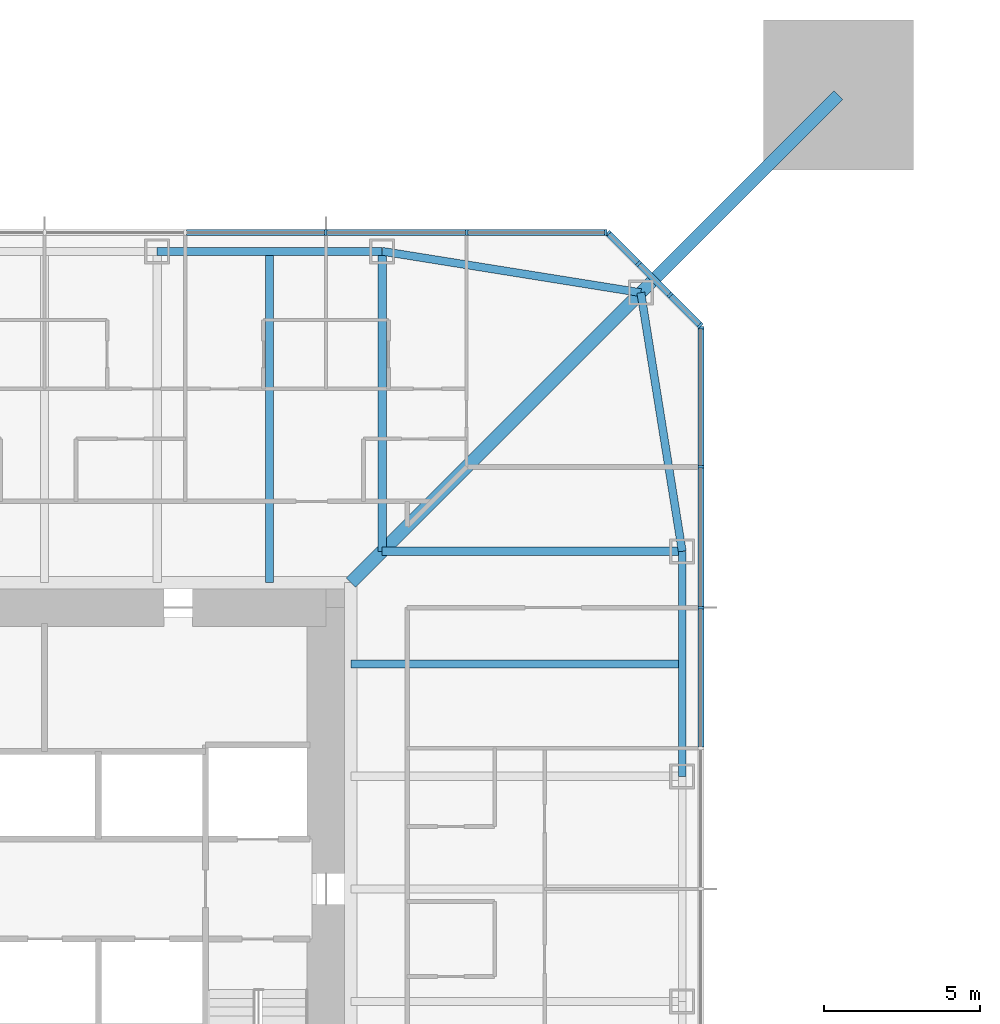
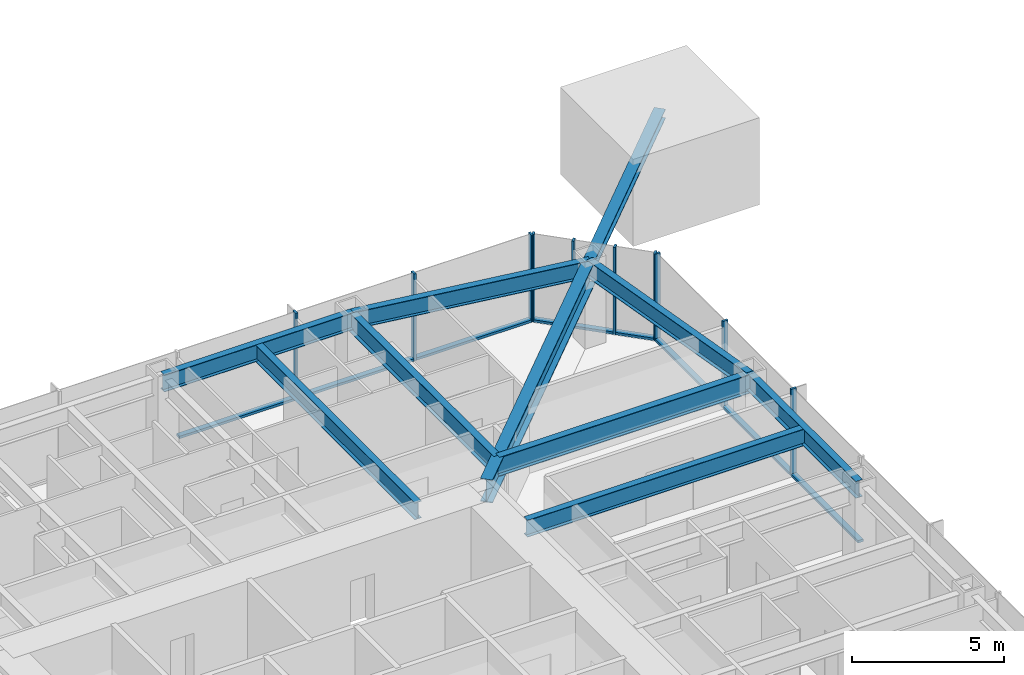
# One storey, part 7 of 25: 20 members, 9 beams, 3 elements without a shape of their own.
"""IFC4 building model written with IfcOpenShell, lengths in metres."""

from ifc_helpers import new_model, si_unit, direction, frame, origin, origin_2d, place, context, subcontext, project, spatial, rectangle, i_section, extrude, material, material_profile, profile_set, type_object, element, aggregate, save


model = new_model("IFC4")

# Units and contexts
model_context = context("Model", 3, precision=1e-05, world=origin(), true_north=direction((0.0, 1.0)))
body_context = subcontext(model_context, "Body", "Model", "MODEL_VIEW")
ifc_project = project(units=[si_unit("LENGTHUNIT", "METRE"), si_unit("AREAUNIT", "SQUARE_METRE"), si_unit("VOLUMEUNIT", "CUBIC_METRE"), si_unit("PLANEANGLEUNIT", "RADIAN"), si_unit("MASSUNIT", "GRAM", prefix="KILO")], contexts=[model_context])

# Site, building, storey
site_placement = place(None, origin())
site = spatial("IfcSite", under=ifc_project, at=site_placement, CompositionType="ELEMENT")
building_placement = place(site_placement, origin())
building = spatial("IfcBuilding", under=site, at=building_placement, Name="Iwan Alto Co-Living Towers", CompositionType="ELEMENT")
storey_placement = place(building_placement, frame((0.0, 0.0, 119.0)))
storey = spatial("IfcBuildingStorey", under=building, at=storey_placement, Name="L32", CompositionType="ELEMENT", Elevation=119.0)

# Curtain wall, members
ifc_material_1 = material(Name="Bronze aluminium unitised frame", Category="aluminium")
curtain_wall_type_1 = type_object("IfcCurtainWallType", Name="CURTAIN WALL CW-A", PredefinedType="NOTDEFINED", material=ifc_material_1)
curtain_wall_1_placement = place(storey_placement, origin())
curtain_wall_1 = element("IfcCurtainWall", 1, at=curtain_wall_1_placement, inside=storey, type_object=curtain_wall_type_1, Name="T1 curtain wall E L32", PredefinedType="NOTDEFINED")
ifc_material_2 = material(Name="Aluminium 6063-T6 bronze anodised", Category="aluminium")
ifc_material_profile_1 = material_profile(ifc_material_2, rectangle(XDim=0.199951171875, YDim=0.080078125, at=origin_2d()), Name="AL 80X200")
ifc_profile_set_1 = profile_set([ifc_material_profile_1], Name="Aluminium 6063-T6 bronze anodised")
member_type_1 = type_object("IfcMemberType", Name="CW-A MULLION 80X200", PredefinedType="MULLION", material=ifc_profile_set_1)
member_1_placement = place(storey_placement, frame((21.0, 9.0, 0.0), z_axis=(0.0, 0.0, 1.0), x_axis=(-1.0, 0.0, 0.0)))
member_1 = element("IfcMember", 2, at=member_1_placement, type_object=member_type_1, Name="CW-A mullion 7", PredefinedType="MULLION", context=body_context, shape_type="SweptSolid", body=[
    extrude(rectangle(XDim=0.199951171875, YDim=0.080078125, at=origin_2d()), origin(), (0.0, 0.0, 1.0), 3.5),
])
member_2_placement = place(storey_placement, frame((21.0, 13.5, 0.0), z_axis=(0.0, 0.0, 1.0), x_axis=(-1.0, 0.0, 0.0)))
member_2 = element("IfcMember", 3, at=member_2_placement, type_object=member_type_1, Name="CW-A mullion 8", PredefinedType="MULLION", context=body_context, shape_type="SweptSolid", body=[
    extrude(rectangle(XDim=0.199951171875, YDim=0.080078125, at=origin_2d()), origin(), (0.0, 0.0, 1.0), 3.5),
])
member_3_placement = place(storey_placement, frame((21.0, 17.9599609375, 0.0), z_axis=(0.0, 0.0, 1.0), x_axis=(-1.0, 0.0, 0.0)))
member_3 = element("IfcMember", 4, at=member_3_placement, type_object=member_type_1, Name="CW-A mullion 9", PredefinedType="MULLION", context=body_context, shape_type="SweptSolid", body=[
    extrude(rectangle(XDim=0.199951171875, YDim=0.080078125, at=origin_2d()), origin(), (0.0, 0.0, 1.0), 3.5),
])

curtain_wall_2_placement = place(storey_placement, origin())
curtain_wall_2 = element("IfcCurtainWall", 5, at=curtain_wall_2_placement, inside=storey, type_object=curtain_wall_type_1, Name="T1 curtain wall N L32", PredefinedType="NOTDEFINED")
member_4_placement = place(storey_placement, frame((17.9599609375, 21.0, 0.0), z_axis=(0.0, 0.0, 1.0), x_axis=(0.0, -1.0, 0.0)))
member_4 = element("IfcMember", 6, at=member_4_placement, type_object=member_type_1, Name="CW-A mullion 1", PredefinedType="MULLION", context=body_context, shape_type="SweptSolid", body=[
    extrude(rectangle(XDim=0.199951171875, YDim=0.080078125, at=origin_2d()), origin(), (0.0, 0.0, 1.0), 3.5),
])
member_5_placement = place(storey_placement, frame((13.5, 21.0, 0.0), z_axis=(0.0, 0.0, 1.0), x_axis=(0.0, -1.0, 0.0)))
member_5 = element("IfcMember", 7, at=member_5_placement, type_object=member_type_1, Name="CW-A mullion 2", PredefinedType="MULLION", context=body_context, shape_type="SweptSolid", body=[
    extrude(rectangle(XDim=0.199951171875, YDim=0.080078125, at=origin_2d()), origin(), (0.0, 0.0, 1.0), 3.5),
])
member_6_placement = place(storey_placement, frame((9.0, 21.0, 0.0), z_axis=(0.0, 0.0, 1.0), x_axis=(0.0, -1.0, 0.0)))
member_6 = element("IfcMember", 8, at=member_6_placement, type_object=member_type_1, Name="CW-A mullion 3", PredefinedType="MULLION", context=body_context, shape_type="SweptSolid", body=[
    extrude(rectangle(XDim=0.199951171875, YDim=0.080078125, at=origin_2d()), origin(), (0.0, 0.0, 1.0), 3.5),
])

# Member
ifc_material_3 = material(Name="Aluminium 6063-T6 bronze anodised", Category="aluminium")
ifc_material_profile_2 = material_profile(ifc_material_3, rectangle(XDim=0.199951171875, YDim=0.10009765625, at=origin_2d()), Name="AL 200X100")
ifc_profile_set_2 = profile_set([ifc_material_profile_2], Name="Aluminium 6063-T6 bronze anodised")
member_type_2 = type_object("IfcMemberType", Name="CW-A TRANSOM 200X100", PredefinedType="USERDEFINED", material=ifc_profile_set_2)
member_7_placement = place(storey_placement, frame((21.0, 4.5400390625, 0.050048828125), z_axis=(0.0, 1.0, 0.0), x_axis=(-1.0, 0.0, 0.0)))
member_7 = element("IfcMember", 9, at=member_7_placement, type_object=member_type_2, Name="CW-A transom 6.1", ObjectType="TRANSOM", PredefinedType="USERDEFINED", context=body_context, shape_type="SweptSolid", body=[
    extrude(rectangle(XDim=0.199951171875, YDim=0.10009765625, at=origin_2d()), origin(), (0.0, 0.0, 1.0), 4.419921875),
])

member_8_placement = place(storey_placement, frame((21.0, 9.0400390625, 0.050048828125), z_axis=(0.0, 1.0, 0.0), x_axis=(-1.0, 0.0, 0.0)))
member_8 = element("IfcMember", 10, at=member_8_placement, type_object=member_type_2, Name="CW-A transom 7.1", ObjectType="TRANSOM", PredefinedType="USERDEFINED", context=body_context, shape_type="SweptSolid", body=[
    extrude(rectangle(XDim=0.199951171875, YDim=0.10009765625, at=origin_2d()), origin(), (0.0, 0.0, 1.0), 4.419921875),
])

member_9_placement = place(storey_placement, frame((21.0, 13.5400390625, 0.050048828125), z_axis=(0.0, 1.0, 0.0), x_axis=(-1.0, 0.0, 0.0)))
member_9 = element("IfcMember", 11, at=member_9_placement, type_object=member_type_2, Name="CW-A transom 8.1", ObjectType="TRANSOM", PredefinedType="USERDEFINED", context=body_context, shape_type="SweptSolid", body=[
    extrude(rectangle(XDim=0.199951171875, YDim=0.10009765625, at=origin_2d()), origin(), (0.0, 0.0, 1.0), 4.3798828125),
])

aggregate(curtain_wall_1, [member_1, member_2, member_3, member_7, member_8, member_9])

member_10_placement = place(storey_placement, frame((17.919921875, 21.0, 0.050048828125), z_axis=(-1.0, 0.0, 0.0), x_axis=(0.0, -1.0, 0.0)))
member_10 = element("IfcMember", 12, at=member_10_placement, type_object=member_type_2, Name="CW-A transom 1.1", ObjectType="TRANSOM", PredefinedType="USERDEFINED", context=body_context, shape_type="SweptSolid", body=[
    extrude(rectangle(XDim=0.199951171875, YDim=0.10009765625, at=origin_2d()), origin(), (0.0, 0.0, 1.0), 4.3798828125),
])

member_11_placement = place(storey_placement, frame((13.4599609375, 21.0, 0.050048828125), z_axis=(-1.0, 0.0, 0.0), x_axis=(0.0, -1.0, 0.0)))
member_11 = element("IfcMember", 13, at=member_11_placement, type_object=member_type_2, Name="CW-A transom 2.1", ObjectType="TRANSOM", PredefinedType="USERDEFINED", context=body_context, shape_type="SweptSolid", body=[
    extrude(rectangle(XDim=0.199951171875, YDim=0.10009765625, at=origin_2d()), origin(), (0.0, 0.0, 1.0), 4.419921875),
])

member_12_placement = place(storey_placement, frame((8.9599609375, 21.0, 0.050048828125), z_axis=(-1.0, 0.0, 0.0), x_axis=(0.0, -1.0, 0.0)))
member_12 = element("IfcMember", 14, at=member_12_placement, type_object=member_type_2, Name="CW-A transom 3.1", ObjectType="TRANSOM", PredefinedType="USERDEFINED", context=body_context, shape_type="SweptSolid", body=[
    extrude(rectangle(XDim=0.199951171875, YDim=0.10009765625, at=origin_2d()), origin(), (0.0, 0.0, 1.0), 4.419921875),
])

aggregate(curtain_wall_2, [member_4, member_5, member_6, member_10, member_11, member_12])

# Curtain wall, members
ifc_material_4 = material(Name="Bronze aluminium unitised frame", Category="aluminium")
curtain_wall_type_2 = type_object("IfcCurtainWallType", Name="CURTAIN WALL CW-B", PredefinedType="NOTDEFINED", material=ifc_material_4)
curtain_wall_3_placement = place(storey_placement, origin())
curtain_wall_3 = element("IfcCurtainWall", 15, at=curtain_wall_3_placement, inside=storey, type_object=curtain_wall_type_2, Name="T1 chamfer curtain wall NE L32", PredefinedType="NOTDEFINED")
ifc_material_5 = material(Name="Aluminium 6063-T6 bronze anodised", Category="aluminium")
ifc_material_profile_3 = material_profile(ifc_material_5, rectangle(XDim=0.199951171875, YDim=0.080078125, at=origin_2d()), Name="AL 80X200")
ifc_profile_set_3 = profile_set([ifc_material_profile_3], Name="Aluminium 6063-T6 bronze anodised")
member_type_3 = type_object("IfcMemberType", Name="CW-B MULLION 80X200", PredefinedType="MULLION", material=ifc_profile_set_3)
member_13_placement = place(storey_placement, frame((20.9716796875, 18.0283203125, 0.0), z_axis=(0.0, 0.0, 1.0), x_axis=(-0.707106781187, -0.707106781187, 0.0)))
member_13 = element("IfcMember", 16, at=member_13_placement, type_object=member_type_3, Name="CW-B mullion 1", PredefinedType="MULLION", context=body_context, shape_type="SweptSolid", body=[
    extrude(rectangle(XDim=0.199951171875, YDim=0.080078125, at=origin_2d()), origin(), (0.0, 0.0, 1.0), 3.5),
])
member_14_placement = place(storey_placement, frame((20.0, 19.0, 0.0), z_axis=(0.0, 0.0, 1.0), x_axis=(-0.707106781187, -0.707106781187, 0.0)))
member_14 = element("IfcMember", 17, at=member_14_placement, type_object=member_type_3, Name="CW-B mullion 2", PredefinedType="MULLION", context=body_context, shape_type="SweptSolid", body=[
    extrude(rectangle(XDim=0.199951171875, YDim=0.080078125, at=origin_2d()), origin(), (0.0, 0.0, 1.0), 3.5),
])
member_15_placement = place(storey_placement, frame((19.0, 20.0, 0.0), z_axis=(0.0, 0.0, 1.0), x_axis=(-0.707106781187, -0.707106781187, 0.0)))
member_15 = element("IfcMember", 18, at=member_15_placement, type_object=member_type_3, Name="CW-B mullion 3", PredefinedType="MULLION", context=body_context, shape_type="SweptSolid", body=[
    extrude(rectangle(XDim=0.199951171875, YDim=0.080078125, at=origin_2d()), origin(), (0.0, 0.0, 1.0), 3.5),
])
member_16_placement = place(storey_placement, frame((18.0283203125, 20.9716796875, 0.0), z_axis=(0.0, 0.0, 1.0), x_axis=(-0.707106781187, -0.707106781187, 0.0)))
member_16 = element("IfcMember", 19, at=member_16_placement, type_object=member_type_3, Name="CW-B mullion 4", PredefinedType="MULLION", context=body_context, shape_type="SweptSolid", body=[
    extrude(rectangle(XDim=0.199951171875, YDim=0.080078125, at=origin_2d()), origin(), (0.0, 0.0, 1.0), 3.5),
])
ifc_material_6 = material(Name="Aluminium 6063-T6 bronze anodised", Category="aluminium")
ifc_material_profile_4 = material_profile(ifc_material_6, rectangle(XDim=0.199951171875, YDim=0.10009765625, at=origin_2d()), Name="AL 200X100")
ifc_profile_set_4 = profile_set([ifc_material_profile_4], Name="Aluminium 6063-T6 bronze anodised")
member_type_4 = type_object("IfcMemberType", Name="CW-B TRANSOM 200X100", PredefinedType="USERDEFINED", material=ifc_profile_set_4)
member_17_placement = place(storey_placement, frame((20.943359375, 18.056640625, 0.050048828125), z_axis=(-0.707106781187, 0.707106781187, 0.0), x_axis=(-0.707106781187, -0.707106781187, 0.0)))
member_17 = element("IfcMember", 20, at=member_17_placement, type_object=member_type_4, Name="CW-B transom 1.1", ObjectType="TRANSOM", PredefinedType="USERDEFINED", context=body_context, shape_type="SweptSolid", body=[
    extrude(rectangle(XDim=0.199951171875, YDim=0.10009765625, at=origin_2d()), origin(), (0.0, 0.0, 1.0), 1.2939453125),
])
member_18_placement = place(storey_placement, frame((19.9716796875, 19.0283203125, 0.050048828125), z_axis=(-0.707106781187, 0.707106781187, 0.0), x_axis=(-0.707106781187, -0.707106781187, 0.0)))
member_18 = element("IfcMember", 21, at=member_18_placement, type_object=member_type_4, Name="CW-B transom 2.1", ObjectType="TRANSOM", PredefinedType="USERDEFINED", context=body_context, shape_type="SweptSolid", body=[
    extrude(rectangle(XDim=0.199951171875, YDim=0.10009765625, at=origin_2d()), origin(), (0.0, 0.0, 1.0), 1.334228515625),
])
member_19_placement = place(storey_placement, frame((18.9716796875, 20.0283203125, 0.050048828125), z_axis=(-0.707106781187, 0.707106781187, 0.0), x_axis=(-0.707106781187, -0.707106781187, 0.0)))
member_19 = element("IfcMember", 22, at=member_19_placement, type_object=member_type_4, Name="CW-B transom 3.1", ObjectType="TRANSOM", PredefinedType="USERDEFINED", context=body_context, shape_type="SweptSolid", body=[
    extrude(rectangle(XDim=0.199951171875, YDim=0.10009765625, at=origin_2d()), origin(), (0.0, 0.0, 1.0), 1.2939453125),
])
aggregate(curtain_wall_3, [member_13, member_14, member_15, member_16, member_17, member_18, member_19])

# Beams
ifc_material_7 = material(Name="Steel ASTM A992 Gr 50", Category="steel")
ifc_material_profile_5 = material_profile(ifc_material_7, i_section(OverallWidth=0.419189453125, OverallDepth=0.927001953125, WebThickness=0.019287109375, FlangeThickness=0.031982421875, at=origin_2d()), Name="W36X231")
ifc_profile_set_5 = profile_set([ifc_material_profile_5], Name="Steel ASTM A992 Gr 50")
beam_type_1 = type_object("IfcBeamType", Name="T1 CORNER GIRDER W36X231", PredefinedType="BEAM", material=ifc_profile_set_5)
beam_1_placement = place(storey_placement, frame((19.07568359375, 19.07568359375, 2.806396484375), z_axis=(-0.707106781187, -0.707106781187, 0.0), x_axis=(0.707106781187, -0.707106781187, 0.0)))
element("IfcBeam", 23, at=beam_1_placement, inside=storey, type_object=beam_type_1, Name="T1 corner girder CNE L33", PredefinedType="BEAM", context=body_context, shape_type="SweptSolid", body=[
    extrude(i_section(OverallWidth=0.419189453125, OverallDepth=0.927001953125, WebThickness=0.019287109375, FlangeThickness=0.031982421875, at=origin_2d()), origin(), (0.0, 0.0, 1.0), 13.11865234375),
])
ifc_material_8 = material(Name="Steel ASTM A992 Gr 50", Category="steel")
ifc_material_profile_6 = material_profile(ifc_material_8, i_section(OverallWidth=0.25390625, OverallDepth=0.683349609375, WebThickness=0.012451171875, FlangeThickness=0.018798828125, at=origin_2d()), Name="W27X94")
ifc_profile_set_6 = profile_set([ifc_material_profile_6], Name="Steel ASTM A992 Gr 50")
beam_type_2 = type_object("IfcBeamType", Name="T1 EDGE BEAM W27X94", PredefinedType="BEAM", material=ifc_profile_set_6)
beam_2_placement = place(storey_placement, frame((20.39990234375, 3.60009765625, 2.928466796875), z_axis=(0.0, 1.0, 0.0), x_axis=(-1.0, 0.0, 0.0)))
element("IfcBeam", 24, at=beam_2_placement, inside=storey, type_object=beam_type_2, Name="T1 edge beam E3 L33", PredefinedType="BEAM", context=body_context, shape_type="SweptSolid", body=[
    extrude(i_section(OverallWidth=0.25390625, OverallDepth=0.683349609375, WebThickness=0.012451171875, FlangeThickness=0.018798828125, at=origin_2d()), origin(), (0.0, 0.0, 1.0), 7.199951171875),
])
for number, where, z_axis, x_axis, name in (
    (25, (20.39990234375, 10.800048828125, 2.928466796875), (-0.158004134737, 0.987438450439, 0.0), (-0.987438450439, -0.158004134737, 0.0), "T1 edge beam E4 L33"),
    (26, (19.07568359375, 19.07568359375, 2.928466796875), (-0.987438450439, 0.158004134737, 0.0), (-0.158004134737, -0.987438450439, 0.0), "T1 edge beam CNE L33"),
):
    element("IfcBeam", number, at=place(storey_placement, frame(where, z_axis=z_axis, x_axis=x_axis)), inside=storey, type_object=beam_type_2, Name=name, PredefinedType="BEAM", context=body_context, shape_type="SweptSolid", body=[
        extrude(i_section(OverallWidth=0.25390625, OverallDepth=0.683349609375, WebThickness=0.012451171875, FlangeThickness=0.018798828125, at=origin_2d()), origin(), (0.0, 0.0, 1.0), 8.380859375),
    ])
beam_3_placement = place(storey_placement, frame((10.800048828125, 20.39990234375, 2.928466796875), z_axis=(-1.0, 0.0, 0.0), x_axis=(0.0, -1.0, 0.0)))
element("IfcBeam", 27, at=beam_3_placement, inside=storey, type_object=beam_type_2, Name="T1 edge beam N1 L33", PredefinedType="BEAM", context=body_context, shape_type="SweptSolid", body=[
    extrude(i_section(OverallWidth=0.25390625, OverallDepth=0.683349609375, WebThickness=0.012451171875, FlangeThickness=0.018798828125, at=origin_2d()), origin(), (0.0, 0.0, 1.0), 7.199951171875),
])

# Member
ifc_material_9 = material(Name="Steel ASTM A992 Gr 50", Category="steel")
ifc_material_profile_7 = material_profile(ifc_material_9, i_section(OverallWidth=0.393798828125, OverallDepth=0.3759765625, WebThickness=0.017333984375, FlangeThickness=0.027587890625, at=origin_2d()), Name="W14X145")
ifc_profile_set_7 = profile_set([ifc_material_profile_7], Name="Steel ASTM A992 Gr 50")
member_type_5 = type_object("IfcMemberType", Name="T1 MEGA COLUMN FLOOR TIE W14X145", PredefinedType="STRUT", material=ifc_profile_set_7)
member_20_placement = place(storey_placement, frame((25.39990234375, 25.39990234375, 3.08203125), z_axis=(-0.707106781187, -0.707106781187, 0.0), x_axis=(0.707106781187, -0.707106781187, 0.0)))
element("IfcMember", 28, at=member_20_placement, inside=storey, type_object=member_type_5, Name="T1 mega column floor tie NE L33", PredefinedType="STRUT", context=body_context, shape_type="SweptSolid", body=[
    extrude(i_section(OverallWidth=0.393798828125, OverallDepth=0.3759765625, WebThickness=0.017333984375, FlangeThickness=0.027587890625, at=origin_2d()), origin(), (0.0, 0.0, 1.0), 8.94384765625),
])

# Beams
ifc_material_10 = material(Name="Steel ASTM A992 Gr 50", Category="steel")
ifc_material_profile_8 = material_profile(ifc_material_10, i_section(OverallWidth=0.2666015625, OverallDepth=0.761962890625, WebThickness=0.014404296875, FlangeThickness=0.021484375, at=origin_2d()), Name="W30X116")
ifc_profile_set_8 = profile_set([ifc_material_profile_8], Name="Steel ASTM A992 Gr 50")
beam_type_3 = type_object("IfcBeamType", Name="T1 RADIAL BEAM W30X116", PredefinedType="BEAM", material=ifc_profile_set_8)
for number, where, z_axis, x_axis, name in (
    (29, (20.39990234375, 10.800048828125, 2.888916015625), (-1.0, 0.0, 0.0), (0.0, -1.0, 0.0), "T1 radial beam E4 L33"),
    (30, (10.800048828125, 20.39990234375, 2.888916015625), (0.0, -1.0, 0.0), (1.0, 0.0, 0.0), "T1 radial beam N1 L33"),
):
    element("IfcBeam", number, at=place(storey_placement, frame(where, z_axis=z_axis, x_axis=x_axis)), inside=storey, type_object=beam_type_3, Name=name, PredefinedType="BEAM", context=body_context, shape_type="SweptSolid", body=[
        extrude(i_section(OverallWidth=0.2666015625, OverallDepth=0.761962890625, WebThickness=0.014404296875, FlangeThickness=0.021484375, at=origin_2d()), origin(), (0.0, 0.0, 1.0), 9.599853515625),
    ])
ifc_material_11 = material(Name="Steel ASTM A992 Gr 50", Category="steel")
ifc_material_profile_9 = material_profile(ifc_material_11, i_section(OverallWidth=0.25390625, OverallDepth=0.683349609375, WebThickness=0.012451171875, FlangeThickness=0.018798828125, at=origin_2d()), Name="W27X94")
ifc_profile_set_9 = profile_set([ifc_material_profile_9], Name="Steel ASTM A992 Gr 50")
beam_type_4 = type_object("IfcBeamType", Name="T1 SECONDARY BEAM W27X94", PredefinedType="JOIST", material=ifc_profile_set_9)
for number, where, z_axis, x_axis, name in (
    (31, (20.39990234375, 7.199951171875, 2.928466796875), (-1.0, 0.0, 0.0), (0.0, -1.0, 0.0), "T1 secondary beam E3 L33"),
    (32, (7.199951171875, 20.39990234375, 2.928466796875), (0.0, -1.0, 0.0), (1.0, 0.0, 0.0), "T1 secondary beam N1 L33"),
):
    element("IfcBeam", number, at=place(storey_placement, frame(where, z_axis=z_axis, x_axis=x_axis)), inside=storey, type_object=beam_type_4, Name=name, PredefinedType="JOIST", context=body_context, shape_type="SweptSolid", body=[
        extrude(i_section(OverallWidth=0.25390625, OverallDepth=0.683349609375, WebThickness=0.012451171875, FlangeThickness=0.018798828125, at=origin_2d()), origin(), (0.0, 0.0, 1.0), 10.6005859375),
    ])

save(model, "model.ifc")
